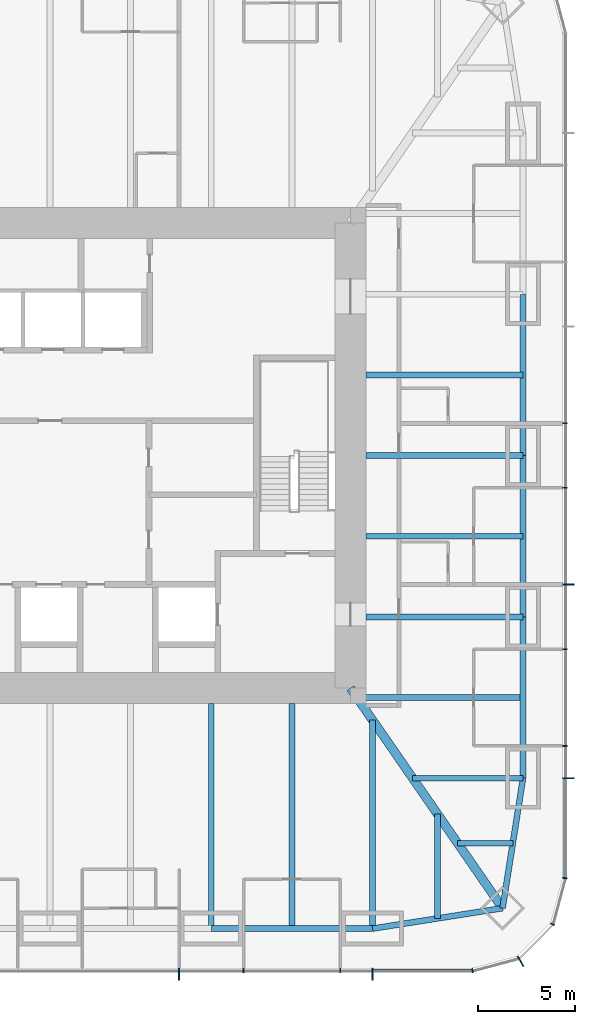
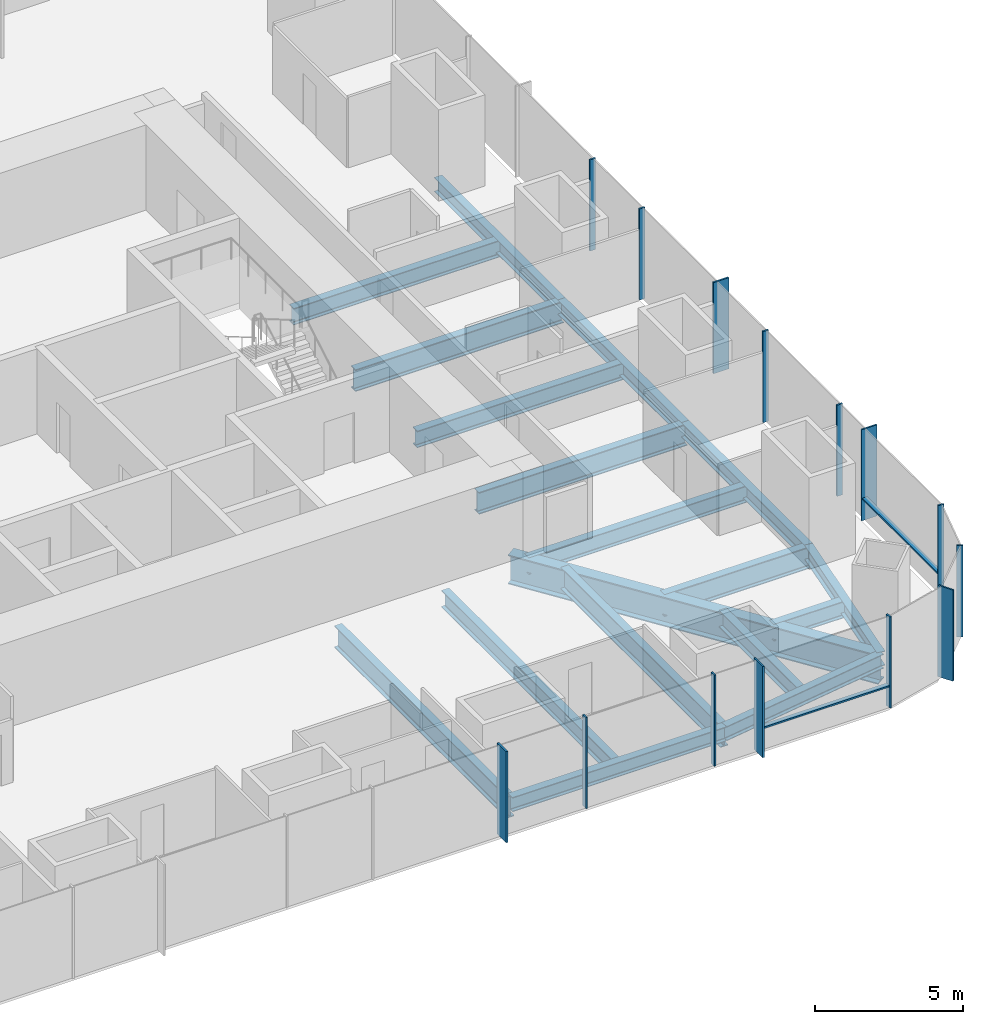
# One storey, part 4 of 12: 18 beams, 16 members, 3 elements without a shape of their own.
"""IFC4 building model written with IfcOpenShell, lengths in metres."""

from ifc_helpers import new_model, si_unit, direction, frame, origin, origin_2d, place, context, subcontext, project, spatial, rectangle, i_section, extrude, material, material_profile, profile_set, type_object, element, aggregate, save


model = new_model("IFC4")

# Units and contexts
model_context = context("Model", 3, precision=1e-05, world=origin(), true_north=direction((0.0, 1.0)))
body_context = subcontext(model_context, "Body", "Model", "MODEL_VIEW")
ifc_project = project(units=[si_unit("LENGTHUNIT", "METRE"), si_unit("AREAUNIT", "SQUARE_METRE"), si_unit("VOLUMEUNIT", "CUBIC_METRE"), si_unit("PLANEANGLEUNIT", "RADIAN"), si_unit("MASSUNIT", "GRAM", prefix="KILO")], contexts=[model_context])

# Site, building, storey
site_placement = place(None, origin())
site = spatial("IfcSite", under=ifc_project, at=site_placement, CompositionType="ELEMENT")
building_placement = place(site_placement, origin())
building = spatial("IfcBuilding", under=site, at=building_placement, Name="Khuree Lantern Residences", CompositionType="ELEMENT")
storey_placement = place(building_placement, frame((0.0, 0.0, 203.25)))
storey = spatial("IfcBuildingStorey", under=building, at=storey_placement, Name="L50", CompositionType="ELEMENT", Elevation=203.25)

# Beams
ifc_material_1 = material(Name="Steel S355", Category="steel")
ifc_material_profile_1 = material_profile(ifc_material_1, i_section(OverallWidth=0.300048828125, OverallDepth=0.68994140625, WebThickness=0.014404296875, FlangeThickness=0.027099609375, FilletRadius=0.027099609375, at=origin_2d()), Name="HE 700 A")
ifc_profile_set_1 = profile_set([ifc_material_profile_1], Name="Steel S355")
beam_type_1 = type_object("IfcBeamType", Name="B-31 SECONDARY BEAM HE 700 A", PredefinedType="BEAM", material=ifc_profile_set_1)
for number, where, z_axis, x_axis, name in (
    (1, (24.39990234375, 4.159912109375, -0.594970703125), (-1.0, 0.0, 0.0), (0.0, -1.0, 0.0), "Secondary beam E3"),
    (2, (24.39990234375, -4.159912109375, -0.594970703125), (-1.0, 0.0, 0.0), (0.0, -1.0, 0.0), "Secondary beam E4"),
):
    element("IfcBeam", number, at=place(storey_placement, frame(where, z_axis=z_axis, x_axis=x_axis)), inside=storey, type_object=beam_type_1, Name=name, PredefinedType="BEAM", context=body_context, shape_type="SweptSolid", body=[
        extrude(i_section(OverallWidth=0.300048828125, OverallDepth=0.68994140625, WebThickness=0.014404296875, FlangeThickness=0.027099609375, FilletRadius=0.027099609375, at=origin_2d()), origin(), (0.0, 0.0, 1.0), 8.099853515625),
    ])
beam_1_placement = place(storey_placement, frame((24.39990234375, -12.47998046875, -0.594970703125), z_axis=(-1.0, 0.0, 0.0), x_axis=(0.0, -1.0, 0.0)))
element("IfcBeam", 3, at=beam_1_placement, inside=storey, type_object=beam_type_1, Name="Secondary beam E5", PredefinedType="BEAM", context=body_context, shape_type="SweptSolid", body=[
    extrude(i_section(OverallWidth=0.300048828125, OverallDepth=0.68994140625, WebThickness=0.014404296875, FlangeThickness=0.027099609375, FilletRadius=0.027099609375, at=origin_2d()), origin(), (0.0, 0.0, 1.0), 8.56787109375),
])
beam_2_placement = place(storey_placement, frame((23.872802734375, -19.992919921875, -0.594970703125), z_axis=(-1.0, 0.0, 0.0), x_axis=(0.0, -1.0, 0.0)))
element("IfcBeam", 4, at=beam_2_placement, inside=storey, type_object=beam_type_1, Name="Secondary beam E6", PredefinedType="BEAM", context=body_context, shape_type="SweptSolid", body=[
    extrude(i_section(OverallWidth=0.300048828125, OverallDepth=0.68994140625, WebThickness=0.014404296875, FlangeThickness=0.027099609375, FilletRadius=0.027099609375, at=origin_2d()), origin(), (0.0, 0.0, 1.0), 2.845703125),
])
beam_3_placement = place(storey_placement, frame((19.992919921875, -23.872802734375, -0.594970703125), z_axis=(0.0, 1.0, 0.0), x_axis=(-1.0, 0.0, 0.0)))
element("IfcBeam", 5, at=beam_3_placement, inside=storey, type_object=beam_type_1, Name="Secondary beam S1", PredefinedType="BEAM", context=body_context, shape_type="SweptSolid", body=[
    extrude(i_section(OverallWidth=0.300048828125, OverallDepth=0.68994140625, WebThickness=0.014404296875, FlangeThickness=0.027099609375, FilletRadius=0.027099609375, at=origin_2d()), origin(), (0.0, 0.0, 1.0), 5.375732421875),
])
beam_4_placement = place(storey_placement, frame((12.47998046875, -24.39990234375, -0.594970703125), z_axis=(0.0, 1.0, 0.0), x_axis=(-1.0, 0.0, 0.0)))
element("IfcBeam", 6, at=beam_4_placement, inside=storey, type_object=beam_type_1, Name="Secondary beam S2", PredefinedType="BEAM", context=body_context, shape_type="SweptSolid", body=[
    extrude(i_section(OverallWidth=0.300048828125, OverallDepth=0.68994140625, WebThickness=0.014404296875, FlangeThickness=0.027099609375, FilletRadius=0.027099609375, at=origin_2d()), origin(), (0.0, 0.0, 1.0), 11.599853515625),
])
ifc_material_profile_2 = material_profile(ifc_material_1, i_section(OverallWidth=0.300048828125, OverallDepth=0.590087890625, WebThickness=0.012939453125, FlangeThickness=0.02490234375, FilletRadius=0.027099609375, at=origin_2d()), Name="HE 600 A")
ifc_profile_set_2 = profile_set([ifc_material_profile_2], Name="Steel S355")
beam_type_2 = type_object("IfcBeamType", Name="E-31 SPANDREL BEAM HE 600 A", PredefinedType="SPANDREL", material=ifc_profile_set_2)
for number, where, z_axis, x_axis, name in (
    (7, (24.39990234375, 8.320068359375, -0.544921875), (0.0, -1.0, 0.0), (1.0, 0.0, 0.0), "Spandrel beam E3"),
    (8, (24.39990234375, 0.0, -0.544921875), (0.0, -1.0, 0.0), (1.0, 0.0, 0.0), "Spandrel beam E4"),
):
    element("IfcBeam", number, at=place(storey_placement, frame(where, z_axis=z_axis, x_axis=x_axis)), inside=storey, type_object=beam_type_2, Name=name, PredefinedType="SPANDREL", context=body_context, shape_type="SweptSolid", body=[
        extrude(i_section(OverallWidth=0.300048828125, OverallDepth=0.590087890625, WebThickness=0.012939453125, FlangeThickness=0.02490234375, FilletRadius=0.027099609375, at=origin_2d()), origin(), (0.0, 0.0, 1.0), 8.320068359375),
    ])
beam_5_placement = place(storey_placement, frame((24.39990234375, -8.320068359375, -0.544921875), z_axis=(0.0, -1.0, 0.0), x_axis=(1.0, 0.0, 0.0)))
element("IfcBeam", 9, at=beam_5_placement, inside=storey, type_object=beam_type_2, Name="Spandrel beam E5", PredefinedType="SPANDREL", context=body_context, shape_type="SweptSolid", body=[
    extrude(i_section(OverallWidth=0.300048828125, OverallDepth=0.590087890625, WebThickness=0.012939453125, FlangeThickness=0.02490234375, FilletRadius=0.027099609375, at=origin_2d()), origin(), (0.0, 0.0, 1.0), 8.31982421875),
])
for number, where, z_axis, x_axis, name in (
    (10, (24.39990234375, -16.639892578125, -0.544921875), (-0.155299507442, -0.98786743189, 0.0), (0.98786743189, -0.155299507442, 0.0), "Spandrel beam E6"),
    (11, (23.345703125, -23.345703125, -0.544921875), (-0.98786743189, -0.155299507442, 0.0), (0.155299507442, -0.98786743189, 0.0), "Spandrel beam S1"),
):
    element("IfcBeam", number, at=place(storey_placement, frame(where, z_axis=z_axis, x_axis=x_axis)), inside=storey, type_object=beam_type_2, Name=name, PredefinedType="SPANDREL", context=body_context, shape_type="SweptSolid", body=[
        extrude(i_section(OverallWidth=0.300048828125, OverallDepth=0.590087890625, WebThickness=0.012939453125, FlangeThickness=0.02490234375, FilletRadius=0.027099609375, at=origin_2d()), origin(), (0.0, 0.0, 1.0), 6.7880859375),
    ])
beam_6_placement = place(storey_placement, frame((16.639892578125, -24.39990234375, -0.544921875), z_axis=(-1.0, 0.0, 0.0), x_axis=(0.0, -1.0, 0.0)))
element("IfcBeam", 12, at=beam_6_placement, inside=storey, type_object=beam_type_2, Name="Spandrel beam S2", PredefinedType="SPANDREL", context=body_context, shape_type="SweptSolid", body=[
    extrude(i_section(OverallWidth=0.300048828125, OverallDepth=0.590087890625, WebThickness=0.012939453125, FlangeThickness=0.02490234375, FilletRadius=0.027099609375, at=origin_2d()), origin(), (0.0, 0.0, 1.0), 8.31982421875),
])

# Curtain wall, member
ifc_material_2 = material(Name="Bronze anodised aluminium", Category="aluminium")
curtain_wall_type_1 = type_object("IfcCurtainWallType", Name="CW-T2 TOWER CORNER CURTAIN WALL", PredefinedType="USERDEFINED", material=ifc_material_2)
curtain_wall_1_placement = place(storey_placement, origin())
curtain_wall_1 = element("IfcCurtainWall", 13, at=curtain_wall_1_placement, inside=storey, type_object=curtain_wall_type_1, Name="L50 SOUTH-EAST CORNER CURTAIN WALL", ObjectType="Faceted corner curtain wall", PredefinedType="USERDEFINED")
ifc_material_profile_3 = material_profile(ifc_material_2, rectangle(XDim=0.06494140625, YDim=0.60009765625, at=origin_2d()), Name="F1 65X600")
ifc_profile_set_3 = profile_set([ifc_material_profile_3], Name="Bronze anodised aluminium")
member_type_1 = type_object("IfcMemberType", Name="F1 BRONZE FIN MULLION TOWER 65X600", PredefinedType="MULLION", material=ifc_profile_set_3)
member_1_placement = place(storey_placement, frame((24.27490234375, -26.0869140625, 0.0), z_axis=(0.0, 0.0, 1.0), x_axis=(0.866025409797, 0.499999989586, 0.0)))
member_1 = element("IfcMember", 14, at=member_1_placement, type_object=member_type_1, Name="L50 SOUTH-EAST CORNER FIN MULLION 2", PredefinedType="MULLION", context=body_context, shape_type="SweptSolid", body=[
    extrude(rectangle(XDim=0.06494140625, YDim=0.60009765625, at=origin_2d()), origin(), (0.0, 0.0, 1.0), 3.75),
])

# Curtain wall, members
curtain_wall_type_2 = type_object("IfcCurtainWallType", Name="CW-T1 TOWER FACE CURTAIN WALL", PredefinedType="USERDEFINED", material=ifc_material_2)
curtain_wall_2_placement = place(storey_placement, origin())
curtain_wall_2 = element("IfcCurtainWall", 15, at=curtain_wall_2_placement, inside=storey, type_object=curtain_wall_type_2, Name="L50 EAST FACE CURTAIN WALL", ObjectType="Stick-built curtain wall", PredefinedType="USERDEFINED")
member_2_placement = place(storey_placement, frame((26.75, -16.639892578125, 0.0), z_axis=(0.0, 0.0, 1.0), x_axis=(0.0, 1.0, 0.0)))
member_2 = element("IfcMember", 16, at=member_2_placement, type_object=member_type_1, Name="L50 EAST FACE FIN MULLION 5", PredefinedType="MULLION", context=body_context, shape_type="SweptSolid", body=[
    extrude(rectangle(XDim=0.06494140625, YDim=0.60009765625, at=origin_2d()), origin(), (0.0, 0.0, 1.0), 3.75),
])
member_3_placement = place(storey_placement, frame((26.75, -6.656005859375, 0.0), z_axis=(0.0, 0.0, 1.0), x_axis=(0.0, 1.0, 0.0)))
member_3 = element("IfcMember", 17, at=member_3_placement, type_object=member_type_1, Name="L50 EAST FACE FIN MULLION 8", PredefinedType="MULLION", context=body_context, shape_type="SweptSolid", body=[
    extrude(rectangle(XDim=0.06494140625, YDim=0.60009765625, at=origin_2d()), origin(), (0.0, 0.0, 1.0), 3.75),
])

curtain_wall_3_placement = place(storey_placement, origin())
curtain_wall_3 = element("IfcCurtainWall", 18, at=curtain_wall_3_placement, inside=storey, type_object=curtain_wall_type_2, Name="L50 SOUTH FACE CURTAIN WALL", ObjectType="Stick-built curtain wall", PredefinedType="USERDEFINED")
member_4_placement = place(storey_placement, frame((6.656005859375, -26.75, 0.0), z_axis=(0.0, 0.0, 1.0), x_axis=(1.0, 0.0, 0.0)))
member_4 = element("IfcMember", 19, at=member_4_placement, type_object=member_type_1, Name="L50 SOUTH FACE FIN MULLION 53", PredefinedType="MULLION", context=body_context, shape_type="SweptSolid", body=[
    extrude(rectangle(XDim=0.06494140625, YDim=0.60009765625, at=origin_2d()), origin(), (0.0, 0.0, 1.0), 3.75),
])
member_5_placement = place(storey_placement, frame((16.639892578125, -26.75, 0.0), z_axis=(0.0, 0.0, 1.0), x_axis=(1.0, 0.0, 0.0)))
member_5 = element("IfcMember", 20, at=member_5_placement, type_object=member_type_1, Name="L50 SOUTH FACE FIN MULLION 56", PredefinedType="MULLION", context=body_context, shape_type="SweptSolid", body=[
    extrude(rectangle(XDim=0.06494140625, YDim=0.60009765625, at=origin_2d()), origin(), (0.0, 0.0, 1.0), 3.75),
])

# Beams
ifc_material_profile_4 = material_profile(ifc_material_1, i_section(OverallWidth=0.300048828125, OverallDepth=0.89990234375, WebThickness=0.0185546875, FlangeThickness=0.034912109375, FilletRadius=0.030029296875, at=origin_2d()), Name="HE 900 B")
ifc_profile_set_4 = profile_set([ifc_material_profile_4], Name="Steel S355")
beam_type_3 = type_object("IfcBeamType", Name="G-31A GIRDER HE 900 B", PredefinedType="BEAM", material=ifc_profile_set_4)
for number, where, z_axis, x_axis, name in (
    (21, (24.39990234375, 0.0, -0.699951171875), (-1.0, 0.0, 0.0), (0.0, -1.0, 0.0), "Girder E3"),
    (22, (24.39990234375, -8.320068359375, -0.699951171875), (-1.0, 0.0, 0.0), (0.0, -1.0, 0.0), "Girder E4"),
):
    element("IfcBeam", number, at=place(storey_placement, frame(where, z_axis=z_axis, x_axis=x_axis)), inside=storey, type_object=beam_type_3, Name=name, PredefinedType="BEAM", context=body_context, shape_type="SweptSolid", body=[
        extrude(i_section(OverallWidth=0.300048828125, OverallDepth=0.89990234375, WebThickness=0.0185546875, FlangeThickness=0.034912109375, FilletRadius=0.030029296875, at=origin_2d()), origin(), (0.0, 0.0, 1.0), 8.099853515625),
    ])
beam_7_placement = place(storey_placement, frame((24.39990234375, -16.639892578125, -0.699951171875), z_axis=(-1.0, 0.0, 0.0), x_axis=(0.0, -1.0, 0.0)))
element("IfcBeam", 23, at=beam_7_placement, inside=storey, type_object=beam_type_3, Name="Girder E5", PredefinedType="BEAM", context=body_context, shape_type="SweptSolid", body=[
    extrude(i_section(OverallWidth=0.300048828125, OverallDepth=0.89990234375, WebThickness=0.0185546875, FlangeThickness=0.034912109375, FilletRadius=0.030029296875, at=origin_2d()), origin(), (0.0, 0.0, 1.0), 5.69140625),
])
beam_8_placement = place(storey_placement, frame((16.639892578125, -24.39990234375, -0.699951171875), z_axis=(0.0, 1.0, 0.0), x_axis=(-1.0, 0.0, 0.0)))
element("IfcBeam", 24, at=beam_8_placement, inside=storey, type_object=beam_type_3, Name="Girder S1", PredefinedType="BEAM", context=body_context, shape_type="SweptSolid", body=[
    extrude(i_section(OverallWidth=0.300048828125, OverallDepth=0.89990234375, WebThickness=0.0185546875, FlangeThickness=0.034912109375, FilletRadius=0.030029296875, at=origin_2d()), origin(), (0.0, 0.0, 1.0), 10.751220703125),
])
beam_9_placement = place(storey_placement, frame((8.320068359375, -24.39990234375, -0.699951171875), z_axis=(0.0, 1.0, 0.0), x_axis=(-1.0, 0.0, 0.0)))
element("IfcBeam", 25, at=beam_9_placement, inside=storey, type_object=beam_type_3, Name="Girder S2", PredefinedType="BEAM", context=body_context, shape_type="SweptSolid", body=[
    extrude(i_section(OverallWidth=0.300048828125, OverallDepth=0.89990234375, WebThickness=0.0185546875, FlangeThickness=0.034912109375, FilletRadius=0.030029296875, at=origin_2d()), origin(), (0.0, 0.0, 1.0), 11.599853515625),
])
ifc_material_profile_5 = material_profile(ifc_material_1, i_section(OverallWidth=0.449951171875, OverallDepth=1.199951171875, WebThickness=0.02490234375, FlangeThickness=0.044921875, at=origin_2d()), Name="WELDED I 1200X450X25X45")
ifc_profile_set_5 = profile_set([ifc_material_profile_5], Name="Steel S355")
beam_type_4 = type_object("IfcBeamType", Name="GD-31 CORNER GIRDER WELDED I 1200X450X25X45", PredefinedType="BEAM", material=ifc_profile_set_5)
beam_10_placement = place(storey_placement, frame((23.345703125, -23.345703125, -0.85009765625), z_axis=(-0.56876813501, 0.822497907959, 0.0), x_axis=(-0.822497907959, -0.56876813501, 0.0)))
element("IfcBeam", 26, at=beam_10_placement, inside=storey, type_object=beam_type_4, Name="Corner girder SE", PredefinedType="BEAM", context=body_context, shape_type="SweptSolid", body=[
    extrude(i_section(OverallWidth=0.449951171875, OverallDepth=1.199951171875, WebThickness=0.02490234375, FlangeThickness=0.044921875, at=origin_2d()), origin(), (0.0, 0.0, 1.0), 13.794189453125),
])

# Member
ifc_material_profile_6 = material_profile(ifc_material_2, rectangle(XDim=0.06494140625, YDim=0.219970703125, at=origin_2d()), Name="M1 65X220")
ifc_profile_set_6 = profile_set([ifc_material_profile_6], Name="Bronze anodised aluminium")
member_type_2 = type_object("IfcMemberType", Name="M1 BRONZE MULLION TOWER 65X220", PredefinedType="MULLION", material=ifc_profile_set_6)
member_6_placement = place(storey_placement, frame((21.794921875, -26.561767578125, 0.0), z_axis=(0.0, 0.0, 1.0), x_axis=(0.991444862943, 0.130526180298, 0.0)))
member_6 = element("IfcMember", 27, at=member_6_placement, type_object=member_type_2, Name="L50 SOUTH-EAST CORNER MULLION 1", PredefinedType="MULLION", context=body_context, shape_type="SweptSolid", body=[
    extrude(rectangle(XDim=0.06494140625, YDim=0.219970703125, at=origin_2d()), origin(), (0.0, 0.0, 1.0), 3.75),
])

member_7_placement = place(storey_placement, frame((25.92236328125, -24.179931640625, 0.0), z_axis=(0.0, 0.0, 1.0), x_axis=(0.499999989586, 0.866025409797, 0.0)))
member_7 = element("IfcMember", 28, at=member_7_placement, type_object=member_type_2, Name="L50 SOUTH-EAST CORNER MULLION 3", PredefinedType="MULLION", context=body_context, shape_type="SweptSolid", body=[
    extrude(rectangle(XDim=0.06494140625, YDim=0.219970703125, at=origin_2d()), origin(), (0.0, 0.0, 1.0), 3.75),
])

aggregate(curtain_wall_1, [member_6, member_1, member_7])

member_8_placement = place(storey_placement, frame((26.561767578125, -21.794921875, 0.0), z_axis=(0.0, 0.0, 1.0), x_axis=(0.130526180298, 0.991444862943, 0.0)))
member_8 = element("IfcMember", 29, at=member_8_placement, type_object=member_type_2, Name="L50 EAST FACE MULLION 4", PredefinedType="MULLION", context=body_context, shape_type="SweptSolid", body=[
    extrude(rectangle(XDim=0.06494140625, YDim=0.219970703125, at=origin_2d()), origin(), (0.0, 0.0, 1.0), 3.75),
])

member_9_placement = place(storey_placement, frame((26.56005859375, -14.97607421875, 0.0), z_axis=(0.0, 0.0, 1.0), x_axis=(0.0, 1.0, 0.0)))
member_9 = element("IfcMember", 30, at=member_9_placement, type_object=member_type_2, Name="L50 EAST FACE MULLION 6", PredefinedType="MULLION", context=body_context, shape_type="SweptSolid", body=[
    extrude(rectangle(XDim=0.06494140625, YDim=0.219970703125, at=origin_2d()), origin(), (0.0, 0.0, 1.0), 3.75),
])

member_10_placement = place(storey_placement, frame((26.56005859375, -9.98388671875, 0.0), z_axis=(0.0, 0.0, 1.0), x_axis=(0.0, 1.0, 0.0)))
member_10 = element("IfcMember", 31, at=member_10_placement, type_object=member_type_2, Name="L50 EAST FACE MULLION 7", PredefinedType="MULLION", context=body_context, shape_type="SweptSolid", body=[
    extrude(rectangle(XDim=0.06494140625, YDim=0.219970703125, at=origin_2d()), origin(), (0.0, 0.0, 1.0), 3.75),
])

member_11_placement = place(storey_placement, frame((26.56005859375, -1.6640625, 0.0), z_axis=(0.0, 0.0, 1.0), x_axis=(0.0, 1.0, 0.0)))
member_11 = element("IfcMember", 32, at=member_11_placement, type_object=member_type_2, Name="L50 EAST FACE MULLION 9", PredefinedType="MULLION", context=body_context, shape_type="SweptSolid", body=[
    extrude(rectangle(XDim=0.06494140625, YDim=0.219970703125, at=origin_2d()), origin(), (0.0, 0.0, 1.0), 3.75),
])

member_12_placement = place(storey_placement, frame((26.56005859375, 1.6640625, 0.0), z_axis=(0.0, 0.0, 1.0), x_axis=(0.0, 1.0, 0.0)))
member_12 = element("IfcMember", 33, at=member_12_placement, type_object=member_type_2, Name="L50 EAST FACE MULLION 10", PredefinedType="MULLION", context=body_context, shape_type="SweptSolid", body=[
    extrude(rectangle(XDim=0.06494140625, YDim=0.219970703125, at=origin_2d()), origin(), (0.0, 0.0, 1.0), 3.75),
])

member_13_placement = place(storey_placement, frame((9.98388671875, -26.56005859375, 0.0), z_axis=(0.0, 0.0, 1.0), x_axis=(1.0, 0.0, 0.0)))
member_13 = element("IfcMember", 34, at=member_13_placement, type_object=member_type_2, Name="L50 SOUTH FACE MULLION 54", PredefinedType="MULLION", context=body_context, shape_type="SweptSolid", body=[
    extrude(rectangle(XDim=0.06494140625, YDim=0.219970703125, at=origin_2d()), origin(), (0.0, 0.0, 1.0), 3.75),
])

member_14_placement = place(storey_placement, frame((14.97607421875, -26.56005859375, 0.0), z_axis=(0.0, 0.0, 1.0), x_axis=(1.0, 0.0, 0.0)))
member_14 = element("IfcMember", 35, at=member_14_placement, type_object=member_type_2, Name="L50 SOUTH FACE MULLION 55", PredefinedType="MULLION", context=body_context, shape_type="SweptSolid", body=[
    extrude(rectangle(XDim=0.06494140625, YDim=0.219970703125, at=origin_2d()), origin(), (0.0, 0.0, 1.0), 3.75),
])

ifc_material_profile_7 = material_profile(ifc_material_2, rectangle(XDim=0.179931640625, YDim=0.06494140625, at=origin_2d()), Name="T1 180X65")
ifc_profile_set_7 = profile_set([ifc_material_profile_7], Name="Bronze anodised aluminium")
member_type_3 = type_object("IfcMemberType", Name="TRANSOM T1 TOWER 180X65", PredefinedType="USERDEFINED", material=ifc_profile_set_7)
member_15_placement = place(storey_placement, frame((26.570068359375, -21.75146484375, 0.89990234375), z_axis=(0.0, 1.0, 0.0), x_axis=(-1.0, 0.0, 0.0)))
member_15 = element("IfcMember", 36, at=member_15_placement, type_object=member_type_3, Name="L50 EAST FACE TRANSOM 4.1", ObjectType="Transom", PredefinedType="USERDEFINED", context=body_context, shape_type="SweptSolid", body=[
    extrude(rectangle(XDim=0.179931640625, YDim=0.06494140625, at=origin_2d()), origin(), (0.0, 0.0, 1.0), 5.078857421875),
])

aggregate(curtain_wall_2, [member_8, member_2, member_9, member_10, member_3, member_11, member_12, member_15])

member_16_placement = place(storey_placement, frame((16.672607421875, -26.570068359375, 0.89990234375), z_axis=(1.0, 0.0, 0.0), x_axis=(0.0, 1.0, 0.0)))
member_16 = element("IfcMember", 37, at=member_16_placement, type_object=member_type_3, Name="L50 SOUTH FACE TRANSOM 56.1", ObjectType="Transom", PredefinedType="USERDEFINED", context=body_context, shape_type="SweptSolid", body=[
    extrude(rectangle(XDim=0.179931640625, YDim=0.06494140625, at=origin_2d()), origin(), (0.0, 0.0, 1.0), 5.078857421875),
])

aggregate(curtain_wall_3, [member_4, member_13, member_14, member_5, member_16])

save(model, "model.ifc")
